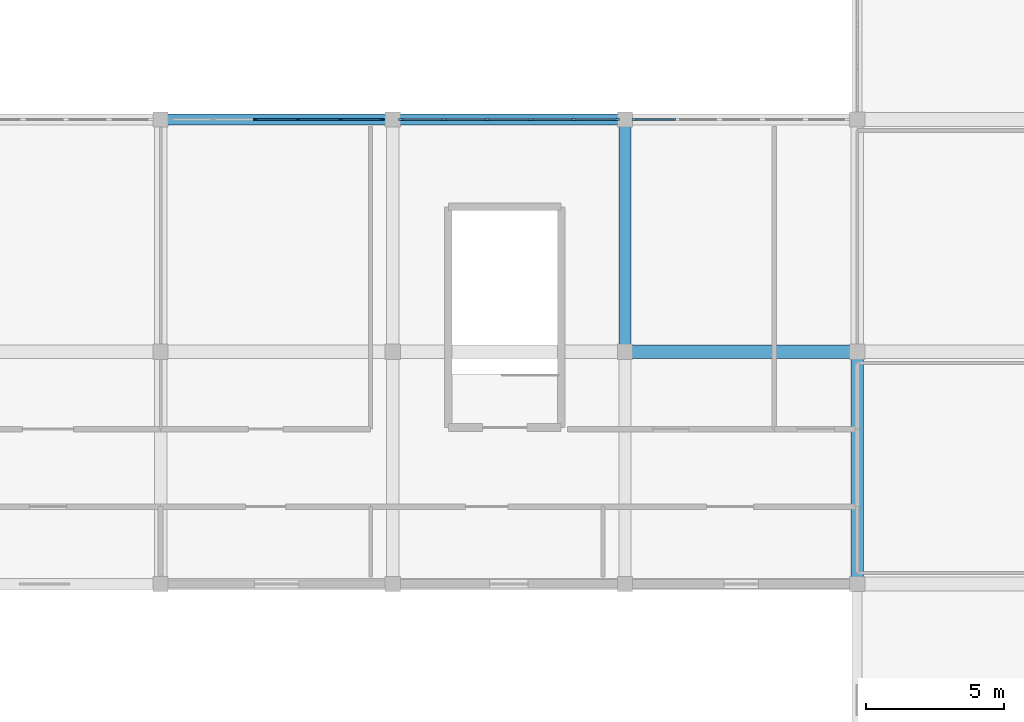
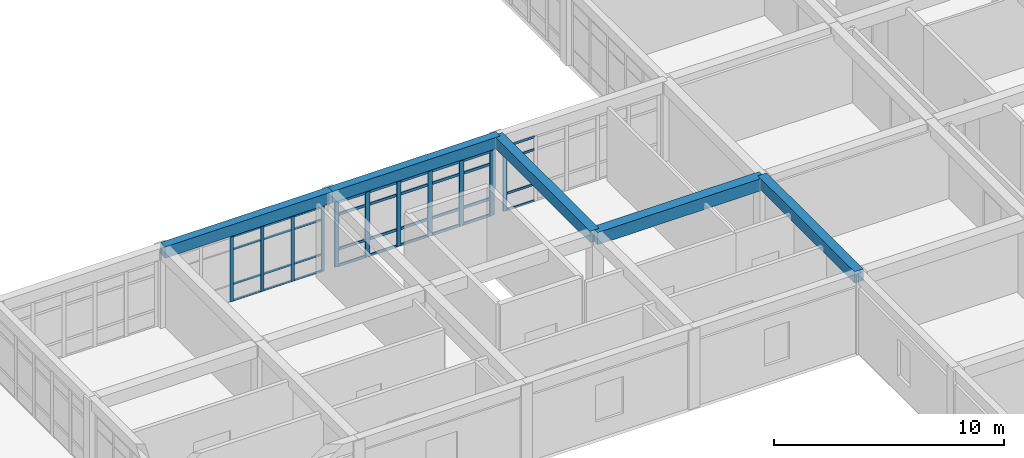
# One storey, part 25 of 77: 47 members, 5 beams, 3 elements without a shape of their own.
"""IFC4 building model written with IfcOpenShell, lengths in metres."""

from ifc_helpers import new_model, si_unit, direction, frame, origin, origin_2d, place, context, subcontext, project, spatial, rectangle, extrude, material, material_profile, profile_set, type_object, element, aggregate, save


model = new_model("IFC4")

# Units and contexts
model_context = context("Model", 3, precision=1e-05, world=origin(), true_north=direction((0.0, 1.0)))
body_context = subcontext(model_context, "Body", "Model", "MODEL_VIEW")
ifc_project = project(units=[si_unit("LENGTHUNIT", "METRE"), si_unit("AREAUNIT", "SQUARE_METRE"), si_unit("VOLUMEUNIT", "CUBIC_METRE"), si_unit("PLANEANGLEUNIT", "RADIAN"), si_unit("MASSUNIT", "GRAM", prefix="KILO")], contexts=[model_context])

# Site, building, storey
site_placement = place(None, origin())
site = spatial("IfcSite", under=ifc_project, at=site_placement, CompositionType="ELEMENT")
building_placement = place(site_placement, origin())
building = spatial("IfcBuilding", under=site, at=building_placement, Name="Varncliffe General Hospital", CompositionType="ELEMENT")
storey_placement = place(building_placement, frame((0.0, 0.0, 16.199951171875)))
storey = spatial("IfcBuildingStorey", under=building, at=storey_placement, Name="L03", CompositionType="ELEMENT", Elevation=16.199951171875)

# Beams
ifc_material_1 = material(Name="Concrete C35/45 (CSA A23.1 35 MPa)", Category="concrete")
ifc_material_profile_1 = material_profile(ifc_material_1, rectangle(XDim=0.5, YDim=0.64990234375, at=origin_2d()), Name="RC 500x650")
ifc_profile_set_1 = profile_set([ifc_material_profile_1], Name="Concrete C35/45 (CSA A23.1 35 MPa)")
beam_type_1 = type_object("IfcBeamType", Name="Beam B29 (Int RC 500x650)", PredefinedType="BEAM", material=ifc_profile_set_1)
beam_1_placement = place(storey_placement, frame((142.800048828125, 32.39990234375, 3.875), z_axis=(1.0, 0.0, 0.0), x_axis=(0.0, 1.0, 0.0)))
element("IfcBeam", 1, at=beam_1_placement, inside=storey, type_object=beam_type_1, Name="L03 Primary Beam B29-20", PredefinedType="BEAM", context=body_context, shape_type="SweptSolid", body=[
    extrude(rectangle(XDim=0.5, YDim=0.64990234375, at=origin_2d()), origin(), (0.0, 0.0, 1.0), 8.39990234375),
])
ifc_material_profile_2 = material_profile(ifc_material_1, rectangle(XDim=0.449951171875, YDim=0.60009765625, at=origin_2d()), Name="RC 450x600")
ifc_profile_set_2 = profile_set([ifc_material_profile_2], Name="Concrete C35/45 (CSA A23.1 35 MPa)")
beam_type_2 = type_object("IfcBeamType", Name="Beam B47 (Int RC 450x600)", PredefinedType="BEAM", material=ifc_profile_set_2)
beam_2_placement = place(storey_placement, frame((142.800048828125, 32.39990234375, 3.900146484375), z_axis=(0.0, 1.0, 0.0), x_axis=(-1.0, 0.0, 0.0)))
element("IfcBeam", 2, at=beam_2_placement, inside=storey, type_object=beam_type_2, Name="L03 Primary Beam B47-355", PredefinedType="BEAM", context=body_context, shape_type="SweptSolid", body=[
    extrude(rectangle(XDim=0.449951171875, YDim=0.60009765625, at=origin_2d()), origin(), (0.0, 0.0, 1.0), 8.400146484375),
])
beam_3_placement = place(storey_placement, frame((151.199951171875, 24.0, 3.900146484375), z_axis=(0.0, 1.0, 0.0), x_axis=(-1.0, 0.0, 0.0)))
element("IfcBeam", 3, at=beam_3_placement, inside=storey, type_object=beam_type_2, Name="L03 Primary Beam B47-366", PredefinedType="BEAM", context=body_context, shape_type="SweptSolid", body=[
    extrude(rectangle(XDim=0.449951171875, YDim=0.60009765625, at=origin_2d()), origin(), (0.0, 0.0, 1.0), 8.39990234375),
])

# Curtain wall, member
ifc_material_2 = material(Name="Triple low-E argon insulated vision glazing", Category="glass")
curtain_wall_type_1 = type_object("IfcCurtainWallType", Name="Unitised Glazed Curtain Wall CW23 (7774x3440)", PredefinedType="USERDEFINED", material=ifc_material_2)
curtain_wall_1_placement = place(storey_placement, origin())
curtain_wall_1 = element("IfcCurtainWall", 4, at=curtain_wall_1_placement, inside=storey, type_object=curtain_wall_type_1, Name="L03 Glazed Curtain Wall CW23-163", ObjectType="GLAZED CURTAIN WALL", PredefinedType="USERDEFINED")
ifc_material_3 = material(Name="Dark bronze thermally broken aluminium framing", Category="aluminium")
ifc_material_profile_3 = material_profile(ifc_material_3, rectangle(XDim=0.074951171875, YDim=0.179931640625, at=origin_2d()), Name="ALU 75x180")
ifc_profile_set_3 = profile_set([ifc_material_profile_3], Name="Dark bronze thermally broken aluminium framing")
member_type_1 = type_object("IfcMemberType", Name="Curtain Wall Mullion CM44 (ALU 75x180)", PredefinedType="MULLION", material=ifc_profile_set_3)
member_1_placement = place(storey_placement, frame((143.150390625, 40.800048828125, 0.0), z_axis=(0.0, 0.0, 1.0), x_axis=(0.0, 1.0, 0.0)))
member_1 = element("IfcMember", 5, at=member_1_placement, type_object=member_type_1, Name="CW23 mullion 1", PredefinedType="MULLION", context=body_context, shape_type="SweptSolid", body=[
    extrude(rectangle(XDim=0.074951171875, YDim=0.179931640625, at=origin_2d()), origin(), (0.0, 0.0, 1.0), 3.43994140625),
])

# Curtain wall, members
curtain_wall_type_2 = type_object("IfcCurtainWallType", Name="Unitised Glazed Curtain Wall CW37 (7694x3440)", PredefinedType="USERDEFINED", material=ifc_material_2)
curtain_wall_2_placement = place(storey_placement, origin())
curtain_wall_2 = element("IfcCurtainWall", 6, at=curtain_wall_2_placement, inside=storey, type_object=curtain_wall_type_2, Name="L03 Glazed Curtain Wall CW37-161", ObjectType="GLAZED CURTAIN WALL", PredefinedType="USERDEFINED")
ifc_material_profile_4 = material_profile(ifc_material_3, rectangle(XDim=0.06494140625, YDim=0.159912109375, at=origin_2d()), Name="ALU 65x160")
ifc_profile_set_4 = profile_set([ifc_material_profile_4], Name="Dark bronze thermally broken aluminium framing")
member_type_2 = type_object("IfcMemberType", Name="Curtain Wall Mullion CM65 (ALU 65x160)", PredefinedType="MULLION", material=ifc_profile_set_4)
member_2_placement = place(storey_placement, frame((129.4306640625, 40.800048828125, 0.0), z_axis=(0.0, 0.0, 1.0), x_axis=(0.0, 1.0, 0.0)))
member_2 = element("IfcMember", 7, at=member_2_placement, type_object=member_type_2, Name="CW37 mullion 3", PredefinedType="MULLION", context=body_context, shape_type="SweptSolid", body=[
    extrude(rectangle(XDim=0.06494140625, YDim=0.159912109375, at=origin_2d()), origin(), (0.0, 0.0, 1.0), 3.43994140625),
])
member_3_placement = place(storey_placement, frame((130.969482421875, 40.800048828125, 0.0), z_axis=(0.0, 0.0, 1.0), x_axis=(0.0, 1.0, 0.0)))
member_3 = element("IfcMember", 8, at=member_3_placement, type_object=member_type_2, Name="CW37 mullion 4", PredefinedType="MULLION", context=body_context, shape_type="SweptSolid", body=[
    extrude(rectangle(XDim=0.06494140625, YDim=0.159912109375, at=origin_2d()), origin(), (0.0, 0.0, 1.0), 3.43994140625),
])
member_4_placement = place(storey_placement, frame((132.50830078125, 40.800048828125, 0.0), z_axis=(0.0, 0.0, 1.0), x_axis=(0.0, 1.0, 0.0)))
member_4 = element("IfcMember", 9, at=member_4_placement, type_object=member_type_2, Name="CW37 mullion 5", PredefinedType="MULLION", context=body_context, shape_type="SweptSolid", body=[
    extrude(rectangle(XDim=0.06494140625, YDim=0.159912109375, at=origin_2d()), origin(), (0.0, 0.0, 1.0), 3.43994140625),
])
member_5_placement = place(storey_placement, frame((134.014404296875, 40.800048828125, 0.0), z_axis=(0.0, 0.0, 1.0), x_axis=(0.0, 1.0, 0.0)))
member_5 = element("IfcMember", 10, at=member_5_placement, type_object=member_type_2, Name="CW37 mullion 6", PredefinedType="MULLION", context=body_context, shape_type="SweptSolid", body=[
    extrude(rectangle(XDim=0.06494140625, YDim=0.159912109375, at=origin_2d()), origin(), (0.0, 0.0, 1.0), 3.43994140625),
])

curtain_wall_type_3 = type_object("IfcCurtainWallType", Name="Unitised Glazed Curtain Wall CW83 (7854x3440)", PredefinedType="USERDEFINED", material=ifc_material_2)
curtain_wall_3_placement = place(storey_placement, origin())
curtain_wall_3 = element("IfcCurtainWall", 11, at=curtain_wall_3_placement, inside=storey, type_object=curtain_wall_type_3, Name="L03 Glazed Curtain Wall CW83-162", ObjectType="GLAZED CURTAIN WALL", PredefinedType="USERDEFINED")
ifc_material_profile_5 = material_profile(ifc_material_3, rectangle(XDim=0.074951171875, YDim=0.219970703125, at=origin_2d()), Name="ALU 75x220")
ifc_profile_set_5 = profile_set([ifc_material_profile_5], Name="Dark bronze thermally broken aluminium framing")
member_type_3 = type_object("IfcMemberType", Name="Curtain Wall Mullion CM74 (ALU 75x220)", PredefinedType="MULLION", material=ifc_profile_set_5)
member_6_placement = place(storey_placement, frame((134.71044921875, 40.800048828125, 0.0), z_axis=(0.0, 0.0, 1.0), x_axis=(0.0, 1.0, 0.0)))
member_6 = element("IfcMember", 12, at=member_6_placement, type_object=member_type_3, Name="CW83 mullion 1", PredefinedType="MULLION", context=body_context, shape_type="SweptSolid", body=[
    extrude(rectangle(XDim=0.074951171875, YDim=0.219970703125, at=origin_2d()), origin(), (0.0, 0.0, 1.0), 3.43994140625),
])
member_7_placement = place(storey_placement, frame((136.243896484375, 40.800048828125, 0.0), z_axis=(0.0, 0.0, 1.0), x_axis=(0.0, 1.0, 0.0)))
member_7 = element("IfcMember", 13, at=member_7_placement, type_object=member_type_3, Name="CW83 mullion 2", PredefinedType="MULLION", context=body_context, shape_type="SweptSolid", body=[
    extrude(rectangle(XDim=0.074951171875, YDim=0.219970703125, at=origin_2d()), origin(), (0.0, 0.0, 1.0), 3.43994140625),
])
member_8_placement = place(storey_placement, frame((137.814697265625, 40.800048828125, 0.0), z_axis=(0.0, 0.0, 1.0), x_axis=(0.0, 1.0, 0.0)))
member_8 = element("IfcMember", 14, at=member_8_placement, type_object=member_type_3, Name="CW83 mullion 3", PredefinedType="MULLION", context=body_context, shape_type="SweptSolid", body=[
    extrude(rectangle(XDim=0.074951171875, YDim=0.219970703125, at=origin_2d()), origin(), (0.0, 0.0, 1.0), 3.43994140625),
])
member_9_placement = place(storey_placement, frame((139.385498046875, 40.800048828125, 0.0), z_axis=(0.0, 0.0, 1.0), x_axis=(0.0, 1.0, 0.0)))
member_9 = element("IfcMember", 15, at=member_9_placement, type_object=member_type_3, Name="CW83 mullion 4", PredefinedType="MULLION", context=body_context, shape_type="SweptSolid", body=[
    extrude(rectangle(XDim=0.074951171875, YDim=0.219970703125, at=origin_2d()), origin(), (0.0, 0.0, 1.0), 3.43994140625),
])
member_10_placement = place(storey_placement, frame((140.956298828125, 40.800048828125, 0.0), z_axis=(0.0, 0.0, 1.0), x_axis=(0.0, 1.0, 0.0)))
member_10 = element("IfcMember", 16, at=member_10_placement, type_object=member_type_3, Name="CW83 mullion 5", PredefinedType="MULLION", context=body_context, shape_type="SweptSolid", body=[
    extrude(rectangle(XDim=0.074951171875, YDim=0.219970703125, at=origin_2d()), origin(), (0.0, 0.0, 1.0), 3.43994140625),
])
member_11_placement = place(storey_placement, frame((142.489501953125, 40.800048828125, 0.0), z_axis=(0.0, 0.0, 1.0), x_axis=(0.0, 1.0, 0.0)))
member_11 = element("IfcMember", 17, at=member_11_placement, type_object=member_type_3, Name="CW83 mullion 6", PredefinedType="MULLION", context=body_context, shape_type="SweptSolid", body=[
    extrude(rectangle(XDim=0.074951171875, YDim=0.219970703125, at=origin_2d()), origin(), (0.0, 0.0, 1.0), 3.43994140625),
])

# Member
ifc_material_profile_6 = material_profile(ifc_material_3, rectangle(XDim=0.06005859375, YDim=0.1201171875, at=origin_2d()), Name="ALU 60x120")
ifc_profile_set_6 = profile_set([ifc_material_profile_6], Name="Dark bronze thermally broken aluminium framing")
member_type_4 = type_object("IfcMemberType", Name="Curtain Wall Transom CT14 (ALU 60x120)", PredefinedType="USERDEFINED", material=ifc_profile_set_6)
member_12_placement = place(storey_placement, frame((143.18798828125, 40.800048828125, 0.030029296875), z_axis=(1.0, 0.0, 0.0), x_axis=(0.0, 1.0, 0.0)))
member_12 = element("IfcMember", 18, at=member_12_placement, type_object=member_type_4, Name="CW23 transom 1.1", ObjectType="TRANSOM", PredefinedType="USERDEFINED", context=body_context, shape_type="SweptSolid", body=[
    extrude(rectangle(XDim=0.06005859375, YDim=0.1201171875, at=origin_2d()), origin(), (0.0, 0.0, 1.0), 1.4423828125),
])

member_13_placement = place(storey_placement, frame((143.18798828125, 40.800048828125, 0.900146484375), z_axis=(1.0, 0.0, 0.0), x_axis=(0.0, 1.0, 0.0)))
member_13 = element("IfcMember", 19, at=member_13_placement, type_object=member_type_4, Name="CW23 transom 1.2", ObjectType="TRANSOM", PredefinedType="USERDEFINED", context=body_context, shape_type="SweptSolid", body=[
    extrude(rectangle(XDim=0.06005859375, YDim=0.1201171875, at=origin_2d()), origin(), (0.0, 0.0, 1.0), 1.4423828125),
])

member_14_placement = place(storey_placement, frame((143.18798828125, 40.800048828125, 2.739990234375), z_axis=(1.0, 0.0, 0.0), x_axis=(0.0, 1.0, 0.0)))
member_14 = element("IfcMember", 20, at=member_14_placement, type_object=member_type_4, Name="CW23 transom 1.3", ObjectType="TRANSOM", PredefinedType="USERDEFINED", context=body_context, shape_type="SweptSolid", body=[
    extrude(rectangle(XDim=0.06005859375, YDim=0.1201171875, at=origin_2d()), origin(), (0.0, 0.0, 1.0), 1.4423828125),
])

member_15_placement = place(storey_placement, frame((143.18798828125, 40.800048828125, 3.41015625), z_axis=(1.0, 0.0, 0.0), x_axis=(0.0, 1.0, 0.0)))
member_15 = element("IfcMember", 21, at=member_15_placement, type_object=member_type_4, Name="CW23 transom 1.4", ObjectType="TRANSOM", PredefinedType="USERDEFINED", context=body_context, shape_type="SweptSolid", body=[
    extrude(rectangle(XDim=0.06005859375, YDim=0.1201171875, at=origin_2d()), origin(), (0.0, 0.0, 1.0), 1.4423828125),
])

aggregate(curtain_wall_1, [member_1, member_12, member_13, member_14, member_15])

ifc_material_profile_7 = material_profile(ifc_material_3, rectangle(XDim=0.06005859375, YDim=0.10009765625, at=origin_2d()), Name="ALU 60x100")
ifc_profile_set_7 = profile_set([ifc_material_profile_7], Name="Dark bronze thermally broken aluminium framing")
member_type_5 = type_object("IfcMemberType", Name="Curtain Wall Transom CT18 (ALU 60x100)", PredefinedType="USERDEFINED", material=ifc_profile_set_7)
member_16_placement = place(storey_placement, frame((129.463134765625, 40.800048828125, 0.030029296875), z_axis=(1.0, 0.0, 0.0), x_axis=(0.0, 1.0, 0.0)))
member_16 = element("IfcMember", 22, at=member_16_placement, type_object=member_type_5, Name="CW37 transom 3.1", ObjectType="TRANSOM", PredefinedType="USERDEFINED", context=body_context, shape_type="SweptSolid", body=[
    extrude(rectangle(XDim=0.06005859375, YDim=0.10009765625, at=origin_2d()), origin(), (0.0, 0.0, 1.0), 1.473876953125),
])

member_17_placement = place(storey_placement, frame((129.463134765625, 40.800048828125, 0.900146484375), z_axis=(1.0, 0.0, 0.0), x_axis=(0.0, 1.0, 0.0)))
member_17 = element("IfcMember", 23, at=member_17_placement, type_object=member_type_5, Name="CW37 transom 3.2", ObjectType="TRANSOM", PredefinedType="USERDEFINED", context=body_context, shape_type="SweptSolid", body=[
    extrude(rectangle(XDim=0.06005859375, YDim=0.10009765625, at=origin_2d()), origin(), (0.0, 0.0, 1.0), 1.473876953125),
])

member_18_placement = place(storey_placement, frame((129.463134765625, 40.800048828125, 2.739990234375), z_axis=(1.0, 0.0, 0.0), x_axis=(0.0, 1.0, 0.0)))
member_18 = element("IfcMember", 24, at=member_18_placement, type_object=member_type_5, Name="CW37 transom 3.3", ObjectType="TRANSOM", PredefinedType="USERDEFINED", context=body_context, shape_type="SweptSolid", body=[
    extrude(rectangle(XDim=0.06005859375, YDim=0.10009765625, at=origin_2d()), origin(), (0.0, 0.0, 1.0), 1.473876953125),
])

member_19_placement = place(storey_placement, frame((129.463134765625, 40.800048828125, 3.41015625), z_axis=(1.0, 0.0, 0.0), x_axis=(0.0, 1.0, 0.0)))
member_19 = element("IfcMember", 25, at=member_19_placement, type_object=member_type_5, Name="CW37 transom 3.4", ObjectType="TRANSOM", PredefinedType="USERDEFINED", context=body_context, shape_type="SweptSolid", body=[
    extrude(rectangle(XDim=0.06005859375, YDim=0.10009765625, at=origin_2d()), origin(), (0.0, 0.0, 1.0), 1.473876953125),
])

member_20_placement = place(storey_placement, frame((131.001953125, 40.800048828125, 0.030029296875), z_axis=(1.0, 0.0, 0.0), x_axis=(0.0, 1.0, 0.0)))
member_20 = element("IfcMember", 26, at=member_20_placement, type_object=member_type_5, Name="CW37 transom 4.1", ObjectType="TRANSOM", PredefinedType="USERDEFINED", context=body_context, shape_type="SweptSolid", body=[
    extrude(rectangle(XDim=0.06005859375, YDim=0.10009765625, at=origin_2d()), origin(), (0.0, 0.0, 1.0), 1.4736328125),
])

member_21_placement = place(storey_placement, frame((131.001953125, 40.800048828125, 0.900146484375), z_axis=(1.0, 0.0, 0.0), x_axis=(0.0, 1.0, 0.0)))
member_21 = element("IfcMember", 27, at=member_21_placement, type_object=member_type_5, Name="CW37 transom 4.2", ObjectType="TRANSOM", PredefinedType="USERDEFINED", context=body_context, shape_type="SweptSolid", body=[
    extrude(rectangle(XDim=0.06005859375, YDim=0.10009765625, at=origin_2d()), origin(), (0.0, 0.0, 1.0), 1.4736328125),
])

member_22_placement = place(storey_placement, frame((131.001953125, 40.800048828125, 2.739990234375), z_axis=(1.0, 0.0, 0.0), x_axis=(0.0, 1.0, 0.0)))
member_22 = element("IfcMember", 28, at=member_22_placement, type_object=member_type_5, Name="CW37 transom 4.3", ObjectType="TRANSOM", PredefinedType="USERDEFINED", context=body_context, shape_type="SweptSolid", body=[
    extrude(rectangle(XDim=0.06005859375, YDim=0.10009765625, at=origin_2d()), origin(), (0.0, 0.0, 1.0), 1.4736328125),
])

member_23_placement = place(storey_placement, frame((131.001953125, 40.800048828125, 3.41015625), z_axis=(1.0, 0.0, 0.0), x_axis=(0.0, 1.0, 0.0)))
member_23 = element("IfcMember", 29, at=member_23_placement, type_object=member_type_5, Name="CW37 transom 4.4", ObjectType="TRANSOM", PredefinedType="USERDEFINED", context=body_context, shape_type="SweptSolid", body=[
    extrude(rectangle(XDim=0.06005859375, YDim=0.10009765625, at=origin_2d()), origin(), (0.0, 0.0, 1.0), 1.4736328125),
])

member_24_placement = place(storey_placement, frame((132.540771484375, 40.800048828125, 0.030029296875), z_axis=(1.0, 0.0, 0.0), x_axis=(0.0, 1.0, 0.0)))
member_24 = element("IfcMember", 30, at=member_24_placement, type_object=member_type_5, Name="CW37 transom 5.1", ObjectType="TRANSOM", PredefinedType="USERDEFINED", context=body_context, shape_type="SweptSolid", body=[
    extrude(rectangle(XDim=0.06005859375, YDim=0.10009765625, at=origin_2d()), origin(), (0.0, 0.0, 1.0), 1.441162109375),
])

member_25_placement = place(storey_placement, frame((132.540771484375, 40.800048828125, 0.900146484375), z_axis=(1.0, 0.0, 0.0), x_axis=(0.0, 1.0, 0.0)))
member_25 = element("IfcMember", 31, at=member_25_placement, type_object=member_type_5, Name="CW37 transom 5.2", ObjectType="TRANSOM", PredefinedType="USERDEFINED", context=body_context, shape_type="SweptSolid", body=[
    extrude(rectangle(XDim=0.06005859375, YDim=0.10009765625, at=origin_2d()), origin(), (0.0, 0.0, 1.0), 1.441162109375),
])

member_26_placement = place(storey_placement, frame((132.540771484375, 40.800048828125, 2.739990234375), z_axis=(1.0, 0.0, 0.0), x_axis=(0.0, 1.0, 0.0)))
member_26 = element("IfcMember", 32, at=member_26_placement, type_object=member_type_5, Name="CW37 transom 5.3", ObjectType="TRANSOM", PredefinedType="USERDEFINED", context=body_context, shape_type="SweptSolid", body=[
    extrude(rectangle(XDim=0.06005859375, YDim=0.10009765625, at=origin_2d()), origin(), (0.0, 0.0, 1.0), 1.441162109375),
])

member_27_placement = place(storey_placement, frame((132.540771484375, 40.800048828125, 3.41015625), z_axis=(1.0, 0.0, 0.0), x_axis=(0.0, 1.0, 0.0)))
member_27 = element("IfcMember", 33, at=member_27_placement, type_object=member_type_5, Name="CW37 transom 5.4", ObjectType="TRANSOM", PredefinedType="USERDEFINED", context=body_context, shape_type="SweptSolid", body=[
    extrude(rectangle(XDim=0.06005859375, YDim=0.10009765625, at=origin_2d()), origin(), (0.0, 0.0, 1.0), 1.441162109375),
])

aggregate(curtain_wall_2, [member_2, member_3, member_4, member_5, member_16, member_17, member_18, member_19, member_20, member_21, member_22, member_23, member_24, member_25, member_26, member_27])

ifc_material_profile_8 = material_profile(ifc_material_3, rectangle(XDim=0.06494140625, YDim=0.139892578125, at=origin_2d()), Name="ALU 65x140")
ifc_profile_set_8 = profile_set([ifc_material_profile_8], Name="Dark bronze thermally broken aluminium framing")
member_type_6 = type_object("IfcMemberType", Name="Curtain Wall Transom CT69 (ALU 65x140)", PredefinedType="USERDEFINED", material=ifc_profile_set_8)
member_28_placement = place(storey_placement, frame((134.748046875, 40.800048828125, 0.032470703125), z_axis=(1.0, 0.0, 0.0), x_axis=(0.0, 1.0, 0.0)))
member_28 = element("IfcMember", 34, at=member_28_placement, type_object=member_type_6, Name="CW83 transom 1.1", ObjectType="TRANSOM", PredefinedType="USERDEFINED", context=body_context, shape_type="SweptSolid", body=[
    extrude(rectangle(XDim=0.06494140625, YDim=0.139892578125, at=origin_2d()), origin(), (0.0, 0.0, 1.0), 1.458251953125),
])

member_29_placement = place(storey_placement, frame((134.748046875, 40.800048828125, 0.900146484375), z_axis=(1.0, 0.0, 0.0), x_axis=(0.0, 1.0, 0.0)))
member_29 = element("IfcMember", 35, at=member_29_placement, type_object=member_type_6, Name="CW83 transom 1.2", ObjectType="TRANSOM", PredefinedType="USERDEFINED", context=body_context, shape_type="SweptSolid", body=[
    extrude(rectangle(XDim=0.06494140625, YDim=0.139892578125, at=origin_2d()), origin(), (0.0, 0.0, 1.0), 1.458251953125),
])

member_30_placement = place(storey_placement, frame((134.748046875, 40.800048828125, 2.739990234375), z_axis=(1.0, 0.0, 0.0), x_axis=(0.0, 1.0, 0.0)))
member_30 = element("IfcMember", 36, at=member_30_placement, type_object=member_type_6, Name="CW83 transom 1.3", ObjectType="TRANSOM", PredefinedType="USERDEFINED", context=body_context, shape_type="SweptSolid", body=[
    extrude(rectangle(XDim=0.06494140625, YDim=0.139892578125, at=origin_2d()), origin(), (0.0, 0.0, 1.0), 1.458251953125),
])

member_31_placement = place(storey_placement, frame((134.748046875, 40.800048828125, 3.407470703125), z_axis=(1.0, 0.0, 0.0), x_axis=(0.0, 1.0, 0.0)))
member_31 = element("IfcMember", 37, at=member_31_placement, type_object=member_type_6, Name="CW83 transom 1.4", ObjectType="TRANSOM", PredefinedType="USERDEFINED", context=body_context, shape_type="SweptSolid", body=[
    extrude(rectangle(XDim=0.06494140625, YDim=0.139892578125, at=origin_2d()), origin(), (0.0, 0.0, 1.0), 1.458251953125),
])

member_32_placement = place(storey_placement, frame((136.28125, 40.800048828125, 0.032470703125), z_axis=(1.0, 0.0, 0.0), x_axis=(0.0, 1.0, 0.0)))
member_32 = element("IfcMember", 38, at=member_32_placement, type_object=member_type_6, Name="CW83 transom 2.1", ObjectType="TRANSOM", PredefinedType="USERDEFINED", context=body_context, shape_type="SweptSolid", body=[
    extrude(rectangle(XDim=0.06494140625, YDim=0.139892578125, at=origin_2d()), origin(), (0.0, 0.0, 1.0), 1.495849609375),
])

member_33_placement = place(storey_placement, frame((136.28125, 40.800048828125, 0.900146484375), z_axis=(1.0, 0.0, 0.0), x_axis=(0.0, 1.0, 0.0)))
member_33 = element("IfcMember", 39, at=member_33_placement, type_object=member_type_6, Name="CW83 transom 2.2", ObjectType="TRANSOM", PredefinedType="USERDEFINED", context=body_context, shape_type="SweptSolid", body=[
    extrude(rectangle(XDim=0.06494140625, YDim=0.139892578125, at=origin_2d()), origin(), (0.0, 0.0, 1.0), 1.495849609375),
])

member_34_placement = place(storey_placement, frame((136.28125, 40.800048828125, 2.739990234375), z_axis=(1.0, 0.0, 0.0), x_axis=(0.0, 1.0, 0.0)))
member_34 = element("IfcMember", 40, at=member_34_placement, type_object=member_type_6, Name="CW83 transom 2.3", ObjectType="TRANSOM", PredefinedType="USERDEFINED", context=body_context, shape_type="SweptSolid", body=[
    extrude(rectangle(XDim=0.06494140625, YDim=0.139892578125, at=origin_2d()), origin(), (0.0, 0.0, 1.0), 1.495849609375),
])

member_35_placement = place(storey_placement, frame((136.28125, 40.800048828125, 3.407470703125), z_axis=(1.0, 0.0, 0.0), x_axis=(0.0, 1.0, 0.0)))
member_35 = element("IfcMember", 41, at=member_35_placement, type_object=member_type_6, Name="CW83 transom 2.4", ObjectType="TRANSOM", PredefinedType="USERDEFINED", context=body_context, shape_type="SweptSolid", body=[
    extrude(rectangle(XDim=0.06494140625, YDim=0.139892578125, at=origin_2d()), origin(), (0.0, 0.0, 1.0), 1.495849609375),
])

member_36_placement = place(storey_placement, frame((137.85205078125, 40.800048828125, 0.032470703125), z_axis=(1.0, 0.0, 0.0), x_axis=(0.0, 1.0, 0.0)))
member_36 = element("IfcMember", 42, at=member_36_placement, type_object=member_type_6, Name="CW83 transom 3.1", ObjectType="TRANSOM", PredefinedType="USERDEFINED", context=body_context, shape_type="SweptSolid", body=[
    extrude(rectangle(XDim=0.06494140625, YDim=0.139892578125, at=origin_2d()), origin(), (0.0, 0.0, 1.0), 1.495849609375),
])

member_37_placement = place(storey_placement, frame((137.85205078125, 40.800048828125, 0.900146484375), z_axis=(1.0, 0.0, 0.0), x_axis=(0.0, 1.0, 0.0)))
member_37 = element("IfcMember", 43, at=member_37_placement, type_object=member_type_6, Name="CW83 transom 3.2", ObjectType="TRANSOM", PredefinedType="USERDEFINED", context=body_context, shape_type="SweptSolid", body=[
    extrude(rectangle(XDim=0.06494140625, YDim=0.139892578125, at=origin_2d()), origin(), (0.0, 0.0, 1.0), 1.495849609375),
])

member_38_placement = place(storey_placement, frame((137.85205078125, 40.800048828125, 2.739990234375), z_axis=(1.0, 0.0, 0.0), x_axis=(0.0, 1.0, 0.0)))
member_38 = element("IfcMember", 44, at=member_38_placement, type_object=member_type_6, Name="CW83 transom 3.3", ObjectType="TRANSOM", PredefinedType="USERDEFINED", context=body_context, shape_type="SweptSolid", body=[
    extrude(rectangle(XDim=0.06494140625, YDim=0.139892578125, at=origin_2d()), origin(), (0.0, 0.0, 1.0), 1.495849609375),
])

member_39_placement = place(storey_placement, frame((137.85205078125, 40.800048828125, 3.407470703125), z_axis=(1.0, 0.0, 0.0), x_axis=(0.0, 1.0, 0.0)))
member_39 = element("IfcMember", 45, at=member_39_placement, type_object=member_type_6, Name="CW83 transom 3.4", ObjectType="TRANSOM", PredefinedType="USERDEFINED", context=body_context, shape_type="SweptSolid", body=[
    extrude(rectangle(XDim=0.06494140625, YDim=0.139892578125, at=origin_2d()), origin(), (0.0, 0.0, 1.0), 1.495849609375),
])

member_40_placement = place(storey_placement, frame((139.4228515625, 40.800048828125, 0.032470703125), z_axis=(1.0, 0.0, 0.0), x_axis=(0.0, 1.0, 0.0)))
member_40 = element("IfcMember", 46, at=member_40_placement, type_object=member_type_6, Name="CW83 transom 4.1", ObjectType="TRANSOM", PredefinedType="USERDEFINED", context=body_context, shape_type="SweptSolid", body=[
    extrude(rectangle(XDim=0.06494140625, YDim=0.139892578125, at=origin_2d()), origin(), (0.0, 0.0, 1.0), 1.495849609375),
])

member_41_placement = place(storey_placement, frame((139.4228515625, 40.800048828125, 0.900146484375), z_axis=(1.0, 0.0, 0.0), x_axis=(0.0, 1.0, 0.0)))
member_41 = element("IfcMember", 47, at=member_41_placement, type_object=member_type_6, Name="CW83 transom 4.2", ObjectType="TRANSOM", PredefinedType="USERDEFINED", context=body_context, shape_type="SweptSolid", body=[
    extrude(rectangle(XDim=0.06494140625, YDim=0.139892578125, at=origin_2d()), origin(), (0.0, 0.0, 1.0), 1.495849609375),
])

member_42_placement = place(storey_placement, frame((139.4228515625, 40.800048828125, 2.739990234375), z_axis=(1.0, 0.0, 0.0), x_axis=(0.0, 1.0, 0.0)))
member_42 = element("IfcMember", 48, at=member_42_placement, type_object=member_type_6, Name="CW83 transom 4.3", ObjectType="TRANSOM", PredefinedType="USERDEFINED", context=body_context, shape_type="SweptSolid", body=[
    extrude(rectangle(XDim=0.06494140625, YDim=0.139892578125, at=origin_2d()), origin(), (0.0, 0.0, 1.0), 1.495849609375),
])

member_43_placement = place(storey_placement, frame((139.4228515625, 40.800048828125, 3.407470703125), z_axis=(1.0, 0.0, 0.0), x_axis=(0.0, 1.0, 0.0)))
member_43 = element("IfcMember", 49, at=member_43_placement, type_object=member_type_6, Name="CW83 transom 4.4", ObjectType="TRANSOM", PredefinedType="USERDEFINED", context=body_context, shape_type="SweptSolid", body=[
    extrude(rectangle(XDim=0.06494140625, YDim=0.139892578125, at=origin_2d()), origin(), (0.0, 0.0, 1.0), 1.495849609375),
])

member_44_placement = place(storey_placement, frame((140.99365234375, 40.800048828125, 0.032470703125), z_axis=(1.0, 0.0, 0.0), x_axis=(0.0, 1.0, 0.0)))
member_44 = element("IfcMember", 50, at=member_44_placement, type_object=member_type_6, Name="CW83 transom 5.1", ObjectType="TRANSOM", PredefinedType="USERDEFINED", context=body_context, shape_type="SweptSolid", body=[
    extrude(rectangle(XDim=0.06494140625, YDim=0.139892578125, at=origin_2d()), origin(), (0.0, 0.0, 1.0), 1.458251953125),
])

member_45_placement = place(storey_placement, frame((140.99365234375, 40.800048828125, 0.900146484375), z_axis=(1.0, 0.0, 0.0), x_axis=(0.0, 1.0, 0.0)))
member_45 = element("IfcMember", 51, at=member_45_placement, type_object=member_type_6, Name="CW83 transom 5.2", ObjectType="TRANSOM", PredefinedType="USERDEFINED", context=body_context, shape_type="SweptSolid", body=[
    extrude(rectangle(XDim=0.06494140625, YDim=0.139892578125, at=origin_2d()), origin(), (0.0, 0.0, 1.0), 1.458251953125),
])

member_46_placement = place(storey_placement, frame((140.99365234375, 40.800048828125, 2.739990234375), z_axis=(1.0, 0.0, 0.0), x_axis=(0.0, 1.0, 0.0)))
member_46 = element("IfcMember", 52, at=member_46_placement, type_object=member_type_6, Name="CW83 transom 5.3", ObjectType="TRANSOM", PredefinedType="USERDEFINED", context=body_context, shape_type="SweptSolid", body=[
    extrude(rectangle(XDim=0.06494140625, YDim=0.139892578125, at=origin_2d()), origin(), (0.0, 0.0, 1.0), 1.458251953125),
])

member_47_placement = place(storey_placement, frame((140.99365234375, 40.800048828125, 3.407470703125), z_axis=(1.0, 0.0, 0.0), x_axis=(0.0, 1.0, 0.0)))
member_47 = element("IfcMember", 53, at=member_47_placement, type_object=member_type_6, Name="CW83 transom 5.4", ObjectType="TRANSOM", PredefinedType="USERDEFINED", context=body_context, shape_type="SweptSolid", body=[
    extrude(rectangle(XDim=0.06494140625, YDim=0.139892578125, at=origin_2d()), origin(), (0.0, 0.0, 1.0), 1.458251953125),
])

aggregate(curtain_wall_3, [member_6, member_7, member_8, member_9, member_10, member_11, member_28, member_29, member_30, member_31, member_32, member_33, member_34, member_35, member_36, member_37, member_38, member_39, member_40, member_41, member_42, member_43, member_44, member_45, member_46, member_47])

# Beams
ifc_material_profile_9 = material_profile(ifc_material_1, rectangle(XDim=0.39990234375, YDim=0.60009765625, at=origin_2d()), Name="RC 400x600")
ifc_profile_set_9 = profile_set([ifc_material_profile_9], Name="Concrete C35/45 (CSA A23.1 35 MPa)")
beam_type_3 = type_object("IfcBeamType", Name="Spandrel SP58 (Ext RC 400x600B)", PredefinedType="SPANDREL", material=ifc_profile_set_9)
beam_4_placement = place(storey_placement, frame((126.0, 40.800048828125, 3.900146484375), z_axis=(1.0, 0.0, 0.0), x_axis=(0.0, 1.0, 0.0)))
element("IfcBeam", 54, at=beam_4_placement, inside=storey, type_object=beam_type_3, Name="L03 Spandrel Beam SP58-28", PredefinedType="SPANDREL", context=body_context, shape_type="SweptSolid", body=[
    extrude(rectangle(XDim=0.39990234375, YDim=0.60009765625, at=origin_2d()), origin(), (0.0, 0.0, 1.0), 8.39990234375),
])
beam_5_placement = place(storey_placement, frame((134.39990234375, 40.800048828125, 3.900146484375), z_axis=(1.0, 0.0, 0.0), x_axis=(0.0, 1.0, 0.0)))
element("IfcBeam", 55, at=beam_5_placement, inside=storey, type_object=beam_type_3, Name="L03 Spandrel Beam SP58-29", PredefinedType="SPANDREL", context=body_context, shape_type="SweptSolid", body=[
    extrude(rectangle(XDim=0.39990234375, YDim=0.60009765625, at=origin_2d()), origin(), (0.0, 0.0, 1.0), 8.400146484375),
])

save(model, "model.ifc")
